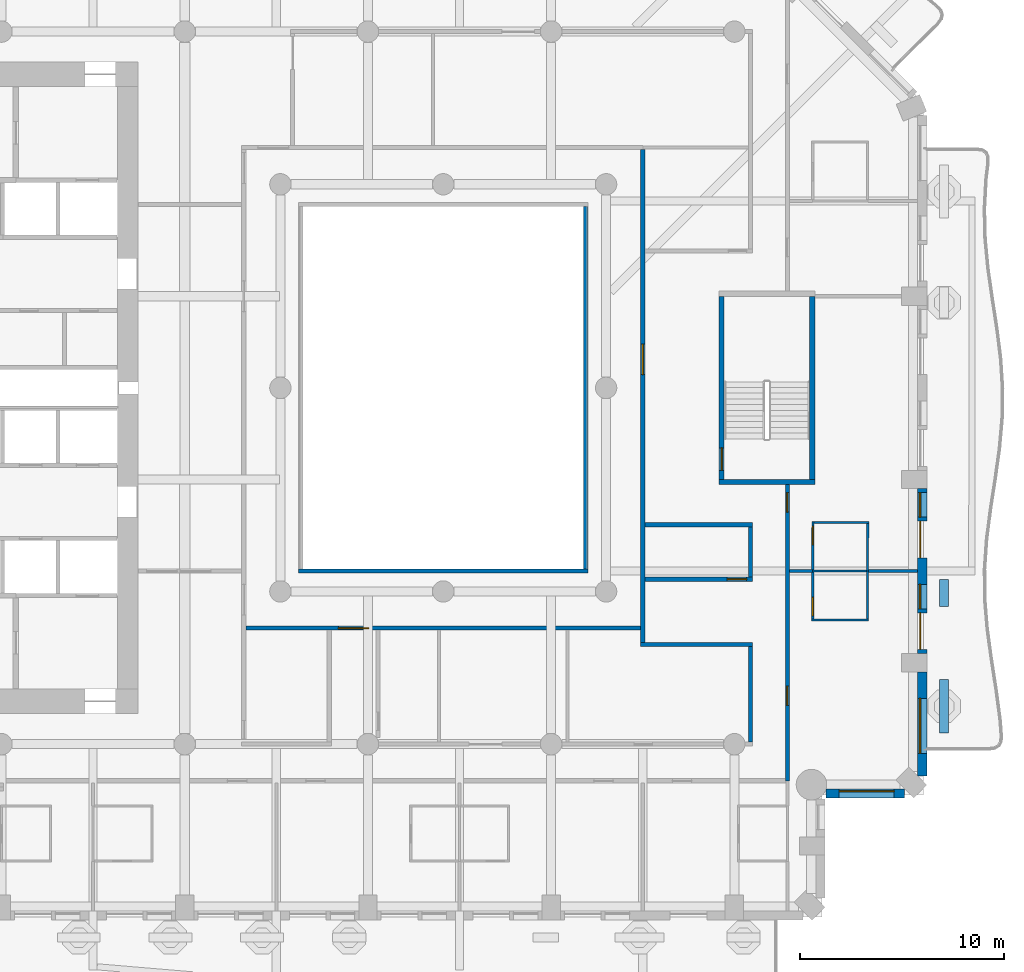
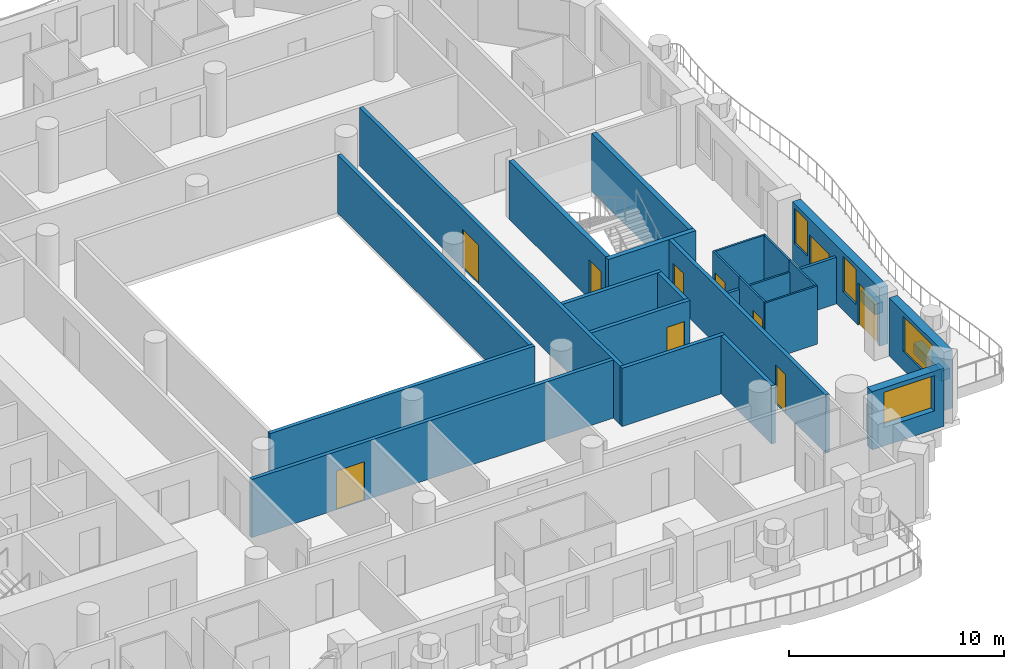
# One storey, part 6 of 20: 27 walls, 10 doors, 4 windows, 14 openings.
"""IFC4 building model written with IfcOpenShell, lengths in metres."""

from ifc_helpers import new_model, si_unit, direction, frame, frame_2d, origin, place, context, subcontext, project, spatial, rectangle, extrude, material, layer, layer_set, type_object, element, fill, save


model = new_model("IFC4")

# Units and contexts
model_context = context("Model", 3, precision=1e-05, world=origin(), true_north=direction((0.0, 1.0)))
body_context = subcontext(model_context, "Body", "Model", "MODEL_VIEW")
ifc_project = project(units=[si_unit("LENGTHUNIT", "METRE"), si_unit("AREAUNIT", "SQUARE_METRE"), si_unit("VOLUMEUNIT", "CUBIC_METRE"), si_unit("PLANEANGLEUNIT", "RADIAN"), si_unit("MASSUNIT", "GRAM", prefix="KILO")], contexts=[model_context])

# Site, building, storey
site_placement = place(None, origin())
site = spatial("IfcSite", under=ifc_project, at=site_placement, CompositionType="ELEMENT")
building_placement = place(site_placement, origin())
building = spatial("IfcBuilding", under=site, at=building_placement, Name="Cypress Arch Tower", CompositionType="ELEMENT")
storey_placement = place(building_placement, frame((0.0, 0.0, 120.300048828125)))
storey = spatial("IfcBuildingStorey", under=building, at=storey_placement, Name="L25", CompositionType="ELEMENT", Elevation=120.300048828125)

# Walls
ifc_material_1 = material(Name="Concrete C40/50, waterproofed", Category="concrete")
ifc_layer_1 = layer(ifc_material_1, 0.449951171875)
ifc_layer_set_1 = layer_set([ifc_layer_1], Name="Balcony planter wall PW450")
wall_type_1 = type_object("IfcWallType", Name="Balcony planter wall PW450", PredefinedType="SOLIDWALL", material=ifc_layer_set_1)
wall_1_placement = place(storey_placement, frame((25.60009765625, -16.949951171875, 0.0), z_axis=(0.0, 0.0, 1.0), x_axis=(0.0, 1.0, 0.0)))
element("IfcWall", 1, at=wall_1_placement, inside=storey, type_object=wall_type_1, Name="Balcony planter wall L25-A06.1", PredefinedType="SOLIDWALL", context=body_context, shape_type="SweptSolid", body=[
    extrude(rectangle(XDim=2.6142578125, YDim=0.449951171875, at=frame_2d((1.30712890625, 0.0))), origin(), (0.0, 0.0, 1.0), 0.599853515625),
])
wall_2_placement = place(storey_placement, frame((25.60009765625, -10.75, 0.0), z_axis=(0.0, 0.0, 1.0), x_axis=(0.0, 1.0, 0.0)))
element("IfcWall", 2, at=wall_2_placement, inside=storey, type_object=wall_type_1, Name="Balcony planter wall L25-A06.2", PredefinedType="SOLIDWALL", context=body_context, shape_type="SweptSolid", body=[
    extrude(rectangle(XDim=1.32861328125, YDim=0.449951171875, at=frame_2d((0.664306640625, 0.0))), origin(), (0.0, 0.0, 1.0), 0.599853515625),
])

# Wall, opening, window
ifc_material_2 = material(Name="Brick (red buff blend)", Category="masonry")
ifc_layer_2 = layer(ifc_material_2, 0.449951171875)
ifc_layer_set_2 = layer_set([ifc_layer_2], Name="Brick pier and spandrel wall BW450")
wall_type_2 = type_object("IfcWallType", Name="Brick pier and spandrel wall BW450", PredefinedType="SOLIDWALL", material=ifc_layer_set_2)
wall_3_placement = place(storey_placement, frame((19.806884765625, -19.925048828125, 0.0), z_axis=(0.0, 0.0, 1.0), x_axis=(1.0, 0.0, 0.0)))
wall_3 = element("IfcWall", 3, at=wall_3_placement, inside=storey, type_object=wall_type_2, Name="Brick wall L25 A05.0", PredefinedType="SOLIDWALL", context=body_context, shape_type="SweptSolid", body=[
    extrude(rectangle(XDim=3.856689453125, YDim=0.449951171875, at=frame_2d((1.92822265625, 0.0))), origin(), (0.0, 0.0, 1.0), 3.300048828125),
])
opening_1_placement = place(wall_3_placement, frame((0.64306640625, 0.0, 1.050048828125)))
opening_1 = element("IfcOpeningElement", 4, at=opening_1_placement, cuts=wall_3, Name="Opening W270H", PredefinedType="OPENING", context=body_context, shape_type="SweptSolid", body=[
    extrude(rectangle(XDim=2.699951171875, YDim=2.0, at=frame_2d((1.35009765625, 1.0))), frame((0.0, 0.23486328125, 0.0), z_axis=(0.0, -1.0, 0.0), x_axis=(1.0, 0.0, 0.0)), (0.0, 0.0, 1.0), 0.469970703125),
])
ifc_material_3 = material(Name="Anodised aluminium, bronze finish, clear low-emissivity double glazing", Category="aluminium")
window_type_1 = type_object("IfcWindowType", Name="Window Hotel 2700x2000", PartitioningType="SINGLE_PANEL", PredefinedType="WINDOW", material=ifc_material_3)
window_1_placement = place(opening_1_placement, origin())
window_1 = element("IfcWindow", 5, at=window_1_placement, inside=storey, type_object=window_type_1, Name="Window L25 A05.0.1", OverallHeight=2.0, OverallWidth=2.699951171875, PartitioningType="SINGLE_PANEL", PredefinedType="WINDOW", context=body_context, shape_type="SweptSolid", body=[
    extrude(rectangle(XDim=2.699951171875, YDim=2.0, at=frame_2d((1.35009765625, 1.0))), frame((0.0, 0.135009765625, 0.0), z_axis=(0.0, -1.0, 0.0), x_axis=(1.0, 0.0, 0.0)), (0.0, 0.0, 1.0), 0.06005859375),
])
fill(opening_1, window_1)

wall_4_placement = place(storey_placement, frame((24.52490234375, -19.063720703125, 0.0), z_axis=(0.0, 0.0, 1.0), x_axis=(0.0, 1.0, 0.0)))
wall_4 = element("IfcWall", 6, at=wall_4_placement, inside=storey, type_object=wall_type_2, Name="Brick wall L25 A06.0", PredefinedType="SOLIDWALL", context=body_context, shape_type="SweptSolid", body=[
    extrude(rectangle(XDim=5.11376953125, YDim=0.449951171875, at=frame_2d((2.556884765625, 0.0))), origin(), (0.0, 0.0, 1.0), 3.300048828125),
])
opening_2_placement = place(wall_4_placement, frame((1.113525390625, 0.0, 1.050048828125)))
opening_2 = element("IfcOpeningElement", 7, at=opening_2_placement, cuts=wall_4, Name="Opening W270HD", PredefinedType="OPENING", context=body_context, shape_type="SweptSolid", body=[
    extrude(rectangle(XDim=2.699951171875, YDim=2.0, at=frame_2d((1.35009765625, 1.0))), frame((0.0, 0.23486328125, 0.0), z_axis=(0.0, -1.0, 0.0), x_axis=(1.0, 0.0, 0.0)), (0.0, 0.0, 1.0), 0.469970703125),
])
ifc_material_4 = material(Name="Anodised aluminium, bronze finish, laminated low-emissivity double glazing, large-missile impact rated", Category="aluminium")
window_type_2 = type_object("IfcWindowType", Name="Window Hotel 2700x2000 debris-rated", PartitioningType="SINGLE_PANEL", PredefinedType="WINDOW", material=ifc_material_4)
window_2_placement = place(opening_2_placement, origin())
window_2 = element("IfcWindow", 8, at=window_2_placement, inside=storey, type_object=window_type_2, Name="Window L25 A06.0.1", OverallHeight=2.0, OverallWidth=2.699951171875, PartitioningType="SINGLE_PANEL", PredefinedType="WINDOW", context=body_context, shape_type="SweptSolid", body=[
    extrude(rectangle(XDim=2.699951171875, YDim=2.0, at=frame_2d((1.35009765625, 1.0))), frame((0.0, 0.135009765625, 0.0), z_axis=(0.0, -1.0, 0.0), x_axis=(1.0, 0.0, 0.0)), (0.0, 0.0, 1.0), 0.06005859375),
])
fill(opening_2, window_2)

# Wall, openings, doors, windows
wall_5_placement = place(storey_placement, frame((24.52490234375, -13.050048828125, 0.0), z_axis=(0.0, 0.0, 1.0), x_axis=(0.0, 1.0, 0.0)))
wall_5 = element("IfcWall", 9, at=wall_5_placement, inside=storey, type_object=wall_type_2, Name="Brick wall L25 A06.1", PredefinedType="SOLIDWALL", context=body_context, shape_type="SweptSolid", body=[
    extrude(rectangle(XDim=8.10009765625, YDim=0.449951171875, at=frame_2d((4.050048828125, 0.0))), origin(), (0.0, 0.0, 1.0), 3.300048828125),
])
opening_3_placement = place(wall_5_placement, frame((0.199951171875, 0.0, 0.0)))
opening_3 = element("IfcOpeningElement", 10, at=opening_3_placement, cuts=wall_5, Name="Opening D-L25-A06.1.1", PredefinedType="OPENING", context=body_context, shape_type="SweptSolid", body=[
    extrude(rectangle(XDim=1.800048828125, YDim=2.39990234375, at=frame_2d((0.89990234375, 1.199951171875))), frame((0.0, 0.23486328125, 0.0), z_axis=(0.0, -1.0, 0.0), x_axis=(1.0, 0.0, 0.0)), (0.0, 0.0, 1.0), 0.469970703125),
])
opening_4_placement = place(wall_5_placement, frame((2.199951171875, 0.0, 1.050048828125)))
opening_4 = element("IfcOpeningElement", 11, at=opening_4_placement, cuts=wall_5, Name="Opening W120HD", PredefinedType="OPENING", context=body_context, shape_type="SweptSolid", body=[
    extrude(rectangle(XDim=1.199951171875, YDim=2.0, at=frame_2d((0.60009765625, 1.0))), frame((0.0, 0.23486328125, 0.0), z_axis=(0.0, -1.0, 0.0), x_axis=(1.0, 0.0, 0.0)), (0.0, 0.0, 1.0), 0.469970703125),
])
opening_5_placement = place(wall_5_placement, frame((4.699951171875, 0.0, 0.0)))
opening_5 = element("IfcOpeningElement", 12, at=opening_5_placement, cuts=wall_5, Name="Opening D-L25-A06.1.2", PredefinedType="OPENING", context=body_context, shape_type="SweptSolid", body=[
    extrude(rectangle(XDim=1.800048828125, YDim=2.39990234375, at=frame_2d((0.89990234375, 1.199951171875))), frame((0.0, 0.23486328125, 0.0), z_axis=(0.0, -1.0, 0.0), x_axis=(1.0, 0.0, 0.0)), (0.0, 0.0, 1.0), 0.469970703125),
])
opening_6_placement = place(wall_5_placement, frame((6.699951171875, 0.0, 1.050048828125)))
opening_6 = element("IfcOpeningElement", 13, at=opening_6_placement, cuts=wall_5, Name="Opening W120HD", PredefinedType="OPENING", context=body_context, shape_type="SweptSolid", body=[
    extrude(rectangle(XDim=1.199951171875, YDim=2.0, at=frame_2d((0.60009765625, 1.0))), frame((0.0, 0.23486328125, 0.0), z_axis=(0.0, -1.0, 0.0), x_axis=(1.0, 0.0, 0.0)), (0.0, 0.0, 1.0), 0.469970703125),
])
ifc_material_5 = material(Name="Anodised aluminium, bronze finish, laminated low-emissivity double glazing, large-missile impact rated", Category="aluminium")
door_type_1 = type_object("IfcDoorType", Name="Balcony sliding door 1800x2400", OperationType="SLIDING_TO_LEFT", PredefinedType="DOOR", material=ifc_material_5)
door_1_placement = place(opening_3_placement, origin())
door_1 = element("IfcDoor", 14, at=door_1_placement, inside=storey, type_object=door_type_1, Name="Balcony door L25 A06.1.1", OperationType="SLIDING_TO_LEFT", OverallHeight=2.39990234375, OverallWidth=1.800048828125, PredefinedType="DOOR", context=body_context, shape_type="SweptSolid", body=[
    extrude(rectangle(XDim=1.800048828125, YDim=2.39990234375, at=frame_2d((0.89990234375, 1.199951171875))), frame((0.0, 0.1298828125, 0.0), z_axis=(0.0, -1.0, 0.0), x_axis=(1.0, 0.0, 0.0)), (0.0, 0.0, 1.0), 0.050048828125),
])
fill(opening_3, door_1)
door_2_placement = place(opening_5_placement, origin())
door_2 = element("IfcDoor", 15, at=door_2_placement, inside=storey, type_object=door_type_1, Name="Balcony door L25 A06.1.2", OperationType="SLIDING_TO_LEFT", OverallHeight=2.39990234375, OverallWidth=1.800048828125, PredefinedType="DOOR", context=body_context, shape_type="SweptSolid", body=[
    extrude(rectangle(XDim=1.800048828125, YDim=2.39990234375, at=frame_2d((0.89990234375, 1.199951171875))), frame((0.0, 0.1298828125, 0.0), z_axis=(0.0, -1.0, 0.0), x_axis=(1.0, 0.0, 0.0)), (0.0, 0.0, 1.0), 0.050048828125),
])
fill(opening_5, door_2)
ifc_material_6 = material(Name="Anodised aluminium, bronze finish, laminated low-emissivity double glazing, large-missile impact rated", Category="aluminium")
window_type_3 = type_object("IfcWindowType", Name="Window Hotel 1200x2000 debris-rated", PartitioningType="SINGLE_PANEL", PredefinedType="WINDOW", material=ifc_material_6)
window_3_placement = place(opening_4_placement, origin())
window_3 = element("IfcWindow", 16, at=window_3_placement, inside=storey, type_object=window_type_3, Name="Window L25 A06.1.1", OverallHeight=2.0, OverallWidth=1.199951171875, PartitioningType="SINGLE_PANEL", PredefinedType="WINDOW", context=body_context, shape_type="SweptSolid", body=[
    extrude(rectangle(XDim=1.199951171875, YDim=2.0, at=frame_2d((0.60009765625, 1.0))), frame((0.0, 0.135009765625, 0.0), z_axis=(0.0, -1.0, 0.0), x_axis=(1.0, 0.0, 0.0)), (0.0, 0.0, 1.0), 0.06005859375),
])
fill(opening_4, window_3)
window_4_placement = place(opening_6_placement, origin())
window_4 = element("IfcWindow", 17, at=window_4_placement, inside=storey, type_object=window_type_3, Name="Window L25 A06.1.2", OverallHeight=2.0, OverallWidth=1.199951171875, PartitioningType="SINGLE_PANEL", PredefinedType="WINDOW", context=body_context, shape_type="SweptSolid", body=[
    extrude(rectangle(XDim=1.199951171875, YDim=2.0, at=frame_2d((0.60009765625, 1.0))), frame((0.0, 0.135009765625, 0.0), z_axis=(0.0, -1.0, 0.0), x_axis=(1.0, 0.0, 0.0)), (0.0, 0.0, 1.0), 0.06005859375),
])
fill(opening_6, window_4)

# Wall, opening, door
ifc_material_7 = material(Name="Concrete blockwork, plastered, rated", Category="masonry")
ifc_layer_3 = layer(ifc_material_7, 0.199951171875)
ifc_layer_set_3 = layer_set([ifc_layer_3], Name="Corridor wall FW200")
wall_type_3 = type_object("IfcWallType", Name="Corridor wall FW200", PredefinedType="PARTITIONING", material=ifc_layer_set_3)
wall_6_placement = place(storey_placement, frame((-8.699951171875, -11.800048828125, 0.0), z_axis=(0.0, 0.0, 1.0), x_axis=(1.0, 0.0, 0.0)))
wall_6 = element("IfcWall", 18, at=wall_6_placement, inside=storey, type_object=wall_type_3, Name="Corridor wall", PredefinedType="PARTITIONING", context=body_context, shape_type="SweptSolid", body=[
    extrude(rectangle(XDim=19.39990234375, YDim=0.199951171875, at=frame_2d((9.699951171875, 0.0))), origin(), (0.0, 0.0, 1.0), 3.300048828125),
])
opening_7_placement = place(wall_6_placement, frame((4.550048828125, 0.0, 0.0)))
opening_7 = element("IfcOpeningElement", 19, at=opening_7_placement, cuts=wall_6, Name="Opening D04", PredefinedType="OPENING", context=body_context, shape_type="SweptSolid", body=[
    extrude(rectangle(XDim=1.5, YDim=2.199951171875, at=frame_2d((0.75, 1.10009765625))), frame((0.0, 0.10986328125, 0.0), z_axis=(0.0, -1.0, 0.0), x_axis=(1.0, 0.0, 0.0)), (0.0, 0.0, 1.0), 0.219970703125),
])
ifc_material_8 = material(Name="Timber double door", Category="wood")
door_type_2 = type_object("IfcDoorType", Name="Double door D04 1500x2200", OperationType="DOUBLE_DOOR_SINGLE_SWING", PredefinedType="DOOR", material=ifc_material_8)
door_3_placement = place(opening_7_placement, origin())
door_3 = element("IfcDoor", 20, at=door_3_placement, inside=storey, type_object=door_type_2, Name="Double door", OperationType="DOUBLE_DOOR_SINGLE_SWING", OverallHeight=2.199951171875, OverallWidth=1.5, PredefinedType="DOOR", context=body_context, shape_type="SweptSolid", body=[
    extrude(rectangle(XDim=1.5, YDim=2.199951171875, at=frame_2d((0.75, 1.10009765625))), frame((0.0, 0.02490234375, 0.0), z_axis=(0.0, -1.0, 0.0), x_axis=(1.0, 0.0, 0.0)), (0.0, 0.0, 1.0), 0.050048828125),
])
fill(opening_7, door_3)

# Walls
wall_7_placement = place(storey_placement, frame((-6.10009765625, -9.0, 0.0), z_axis=(0.0, 0.0, 1.0), x_axis=(1.0, 0.0, 0.0)))
element("IfcWall", 21, at=wall_7_placement, inside=storey, type_object=wall_type_3, Name="Corridor wall", PredefinedType="PARTITIONING", context=body_context, shape_type="SweptSolid", body=[
    extrude(rectangle(XDim=14.2001953125, YDim=0.199951171875, at=frame_2d((7.10009765625, 0.0))), origin(), (0.0, 0.0, 1.0), 3.300048828125),
])
wall_8_placement = place(storey_placement, frame((8.0, -8.89990234375, 0.0), z_axis=(0.0, 0.0, 1.0), x_axis=(0.0, 1.0, 0.0)))
element("IfcWall", 22, at=wall_8_placement, inside=storey, type_object=wall_type_3, Name="Corridor wall", PredefinedType="PARTITIONING", context=body_context, shape_type="SweptSolid", body=[
    extrude(rectangle(XDim=17.7998046875, YDim=0.199951171875, at=frame_2d((8.89990234375, 0.0))), origin(), (0.0, 0.0, 1.0), 3.300048828125),
])

# Wall, opening, door
wall_9_placement = place(storey_placement, frame((10.799072265625, -12.5, 0.0), z_axis=(0.0, 0.0, 1.0), x_axis=(0.0, 1.0, 0.0)))
wall_9 = element("IfcWall", 23, at=wall_9_placement, inside=storey, type_object=wall_type_3, Name="Corridor wall", PredefinedType="PARTITIONING", context=body_context, shape_type="SweptSolid", body=[
    extrude(rectangle(XDim=24.199951171875, YDim=0.199951171875, at=frame_2d((12.10009765625, 0.0))), origin(), (0.0, 0.0, 1.0), 3.300048828125),
])
opening_8_placement = place(wall_9_placement, frame((13.14990234375, 0.0, 0.0)))
opening_8 = element("IfcOpeningElement", 24, at=opening_8_placement, cuts=wall_9, Name="Opening D04", PredefinedType="OPENING", context=body_context, shape_type="SweptSolid", body=[
    extrude(rectangle(XDim=1.5, YDim=2.199951171875, at=frame_2d((0.75, 1.10009765625))), frame((0.0, 0.10986328125, 0.0), z_axis=(0.0, -1.0, 0.0), x_axis=(1.0, 0.0, 0.0)), (0.0, 0.0, 1.0), 0.219970703125),
])
door_4_placement = place(opening_8_placement, origin())
door_4 = element("IfcDoor", 25, at=door_4_placement, inside=storey, type_object=door_type_2, Name="Double door", OperationType="DOUBLE_DOOR_SINGLE_SWING", OverallHeight=2.199951171875, OverallWidth=1.5, PredefinedType="DOOR", context=body_context, shape_type="SweptSolid", body=[
    extrude(rectangle(XDim=1.5, YDim=2.199951171875, at=frame_2d((0.75, 1.10009765625))), frame((0.0, 0.02490234375, 0.0), z_axis=(0.0, -1.0, 0.0), x_axis=(1.0, 0.0, 0.0)), (0.0, 0.0, 1.0), 0.050048828125),
])
fill(opening_8, door_4)

# Wall
wall_10_placement = place(storey_placement, frame((10.698974609375, -12.60009765625, 0.0), z_axis=(0.0, 0.0, 1.0), x_axis=(1.0, 0.0, 0.0)))
element("IfcWall", 26, at=wall_10_placement, inside=storey, type_object=wall_type_3, Name="Corridor wall", PredefinedType="PARTITIONING", context=body_context, shape_type="SweptSolid", body=[
    extrude(rectangle(XDim=5.5009765625, YDim=0.199951171875, at=frame_2d((2.75048828125, 0.0))), origin(), (0.0, 0.0, 1.0), 3.300048828125),
])

# Wall, opening, door
wall_11_placement = place(storey_placement, frame((10.89990234375, -9.39990234375, 0.0), z_axis=(0.0, 0.0, 1.0), x_axis=(1.0, 0.0, 0.0)))
wall_11 = element("IfcWall", 27, at=wall_11_placement, inside=storey, type_object=wall_type_3, Name="Corridor wall", PredefinedType="PARTITIONING", context=body_context, shape_type="SweptSolid", body=[
    extrude(rectangle(XDim=5.300048828125, YDim=0.199951171875, at=frame_2d((2.64990234375, 0.0))), origin(), (0.0, 0.0, 1.0), 3.300048828125),
])
opening_9_placement = place(wall_11_placement, frame((4.050048828125, 0.0, 0.0)))
opening_9 = element("IfcOpeningElement", 28, at=opening_9_placement, cuts=wall_11, Name="Opening D02", PredefinedType="OPENING", context=body_context, shape_type="SweptSolid", body=[
    extrude(rectangle(XDim=0.949951171875, YDim=2.199951171875, at=frame_2d((0.47509765625, 1.10009765625))), frame((0.0, 0.10986328125, 0.0), z_axis=(0.0, -1.0, 0.0), x_axis=(1.0, 0.0, 0.0)), (0.0, 0.0, 1.0), 0.219970703125),
])
ifc_material_9 = material(Name="Timber flush door, fire resisting", Category="wood")
door_type_3 = type_object("IfcDoorType", Name="Room door D02 950x2200", OperationType="SINGLE_SWING_LEFT", PredefinedType="DOOR", material=ifc_material_9)
door_5_placement = place(opening_9_placement, origin())
door_5 = element("IfcDoor", 29, at=door_5_placement, inside=storey, type_object=door_type_3, Name="Room door", OperationType="SINGLE_SWING_RIGHT", OverallHeight=2.199951171875, OverallWidth=0.949951171875, PredefinedType="DOOR", context=body_context, shape_type="SweptSolid", body=[
    extrude(rectangle(XDim=0.949951171875, YDim=2.199951171875, at=frame_2d((0.47509765625, 1.10009765625))), frame((0.0, 0.02490234375, 0.0), z_axis=(0.0, -1.0, 0.0), x_axis=(1.0, 0.0, 0.0)), (0.0, 0.0, 1.0), 0.050048828125),
])
fill(opening_9, door_5)

# Walls
wall_12_placement = place(storey_placement, frame((10.89990234375, -6.72509765625, 0.0), z_axis=(0.0, 0.0, 1.0), x_axis=(1.0, 0.0, 0.0)))
element("IfcWall", 30, at=wall_12_placement, inside=storey, type_object=wall_type_3, Name="Corridor wall", PredefinedType="PARTITIONING", context=body_context, shape_type="SweptSolid", body=[
    extrude(rectangle(XDim=5.300048828125, YDim=0.199951171875, at=frame_2d((2.64990234375, 0.0))), origin(), (0.0, 0.0, 1.0), 3.300048828125),
])
wall_13_placement = place(storey_placement, frame((16.10009765625, -17.39990234375, 0.0), z_axis=(0.0, 0.0, 1.0), x_axis=(0.0, 1.0, 0.0)))
element("IfcWall", 31, at=wall_13_placement, inside=storey, type_object=wall_type_3, Name="Corridor wall", PredefinedType="PARTITIONING", context=body_context, shape_type="SweptSolid", body=[
    extrude(rectangle(XDim=4.699951171875, YDim=0.199951171875, at=frame_2d((2.35009765625, 0.0))), origin(), (0.0, 0.0, 1.0), 3.300048828125),
])
wall_14_placement = place(storey_placement, frame((16.10009765625, -9.300048828125, 0.0), z_axis=(0.0, 0.0, 1.0), x_axis=(0.0, 1.0, 0.0)))
element("IfcWall", 32, at=wall_14_placement, inside=storey, type_object=wall_type_3, Name="Corridor wall", PredefinedType="PARTITIONING", context=body_context, shape_type="SweptSolid", body=[
    extrude(rectangle(XDim=2.47509765625, YDim=0.199951171875, at=frame_2d((1.237548828125, 0.0))), origin(), (0.0, 0.0, 1.0), 3.300048828125),
])

# Wall, openings, doors
wall_15_placement = place(storey_placement, frame((17.89990234375, -19.300048828125, 0.0), z_axis=(0.0, 0.0, 1.0), x_axis=(0.0, 1.0, 0.0)))
wall_15 = element("IfcWall", 33, at=wall_15_placement, inside=storey, type_object=wall_type_3, Name="Corridor wall", PredefinedType="PARTITIONING", context=body_context, shape_type="SweptSolid", body=[
    extrude(rectangle(XDim=14.550048828125, YDim=0.199951171875, at=frame_2d((7.27490234375, 0.0))), origin(), (0.0, 0.0, 1.0), 3.300048828125),
])
opening_10_placement = place(wall_15_placement, frame((3.699951171875, 0.0, 0.0)))
opening_10 = element("IfcOpeningElement", 34, at=opening_10_placement, cuts=wall_15, Name="Opening D02", PredefinedType="OPENING", context=body_context, shape_type="SweptSolid", body=[
    extrude(rectangle(XDim=0.949951171875, YDim=2.199951171875, at=frame_2d((0.47509765625, 1.10009765625))), frame((0.0, 0.10986328125, 0.0), z_axis=(0.0, -1.0, 0.0), x_axis=(1.0, 0.0, 0.0)), (0.0, 0.0, 1.0), 0.219970703125),
])
opening_11_placement = place(wall_15_placement, frame((13.199951171875, 0.0, 0.0)))
opening_11 = element("IfcOpeningElement", 35, at=opening_11_placement, cuts=wall_15, Name="Opening D02", PredefinedType="OPENING", context=body_context, shape_type="SweptSolid", body=[
    extrude(rectangle(XDim=0.949951171875, YDim=2.199951171875, at=frame_2d((0.47509765625, 1.10009765625))), frame((0.0, 0.10986328125, 0.0), z_axis=(0.0, -1.0, 0.0), x_axis=(1.0, 0.0, 0.0)), (0.0, 0.0, 1.0), 0.219970703125),
])
door_6_placement = place(opening_10_placement, origin())
door_6 = element("IfcDoor", 36, at=door_6_placement, inside=storey, type_object=door_type_3, Name="Room door", OperationType="SINGLE_SWING_RIGHT", OverallHeight=2.199951171875, OverallWidth=0.949951171875, PredefinedType="DOOR", context=body_context, shape_type="SweptSolid", body=[
    extrude(rectangle(XDim=0.949951171875, YDim=2.199951171875, at=frame_2d((0.47509765625, 1.10009765625))), frame((0.0, 0.02490234375, 0.0), z_axis=(0.0, -1.0, 0.0), x_axis=(1.0, 0.0, 0.0)), (0.0, 0.0, 1.0), 0.050048828125),
])
fill(opening_10, door_6)
door_7_placement = place(opening_11_placement, origin())
door_7 = element("IfcDoor", 37, at=door_7_placement, inside=storey, type_object=door_type_3, Name="Room door", OperationType="SINGLE_SWING_LEFT", OverallHeight=2.199951171875, OverallWidth=0.949951171875, PredefinedType="DOOR", context=body_context, shape_type="SweptSolid", body=[
    extrude(rectangle(XDim=0.949951171875, YDim=2.199951171875, at=frame_2d((0.47509765625, 1.10009765625))), frame((0.0, 0.02490234375, 0.0), z_axis=(0.0, -1.0, 0.0), x_axis=(1.0, 0.0, 0.0)), (0.0, 0.0, 1.0), 0.050048828125),
])
fill(opening_11, door_7)

# Walls
ifc_material_10 = material(Name="Blockwork, plastered both sides", Category="masonry")
ifc_layer_4 = layer(ifc_material_10, 0.14990234375)
ifc_layer_set_4 = layer_set([ifc_layer_4], Name="Partition PW150")
wall_type_4 = type_object("IfcWallType", Name="Partition PW150", PredefinedType="PARTITIONING", material=ifc_layer_set_4)
wall_16_placement = place(storey_placement, frame((18.0, -9.0, 0.0), z_axis=(0.0, 0.0, 1.0), x_axis=(1.0, 0.0, 0.0)))
element("IfcWall", 38, at=wall_16_placement, inside=storey, type_object=wall_type_4, Name="Partition", PredefinedType="PARTITIONING", context=body_context, shape_type="SweptSolid", body=[
    extrude(rectangle(XDim=1.1298828125, YDim=0.14990234375, at=frame_2d((0.56494140625, 0.0))), origin(), (0.0, 0.0, 1.0), 2.64990234375),
])
wall_17_placement = place(storey_placement, frame((21.8701171875, -9.0, 0.0), z_axis=(0.0, 0.0, 1.0), x_axis=(1.0, 0.0, 0.0)))
element("IfcWall", 39, at=wall_17_placement, inside=storey, type_object=wall_type_4, Name="Partition", PredefinedType="PARTITIONING", context=body_context, shape_type="SweptSolid", body=[
    extrude(rectangle(XDim=2.429931640625, YDim=0.14990234375, at=frame_2d((1.21484375, 0.0))), origin(), (0.0, 0.0, 1.0), 2.64990234375),
])

# Wall, opening, door
ifc_material_11 = material(Name="Concrete C50/60", Category="concrete")
ifc_layer_5 = layer(ifc_material_11, 0.25)
ifc_layer_set_5 = layer_set([ifc_layer_5], Name="Stair enclosure wall SW250")
wall_type_5 = type_object("IfcWallType", Name="Stair enclosure wall SW250", PredefinedType="SHEAR", material=ifc_layer_set_5)
wall_18_placement = place(storey_placement, frame((14.675048828125, -4.5, 0.0), z_axis=(0.0, 0.0, 1.0), x_axis=(0.0, 1.0, 0.0)))
wall_18 = element("IfcWall", 40, at=wall_18_placement, inside=storey, type_object=wall_type_5, Name="Stair enclosure wall", PredefinedType="SHEAR", context=body_context, shape_type="SweptSolid", body=[
    extrude(rectangle(XDim=9.0, YDim=0.25, at=frame_2d((4.5, 0.0))), origin(), (0.0, 0.0, 1.0), 3.300048828125),
])
opening_12_placement = place(wall_18_placement, frame((0.449951171875, 0.0, 0.0)))
opening_12 = element("IfcOpeningElement", 41, at=opening_12_placement, cuts=wall_18, Name="Opening D06", PredefinedType="OPENING", context=body_context, shape_type="SweptSolid", body=[
    extrude(rectangle(XDim=1.10009765625, YDim=2.199951171875, at=frame_2d((0.550048828125, 1.10009765625))), frame((0.0, 0.135009765625, 0.0), z_axis=(0.0, -1.0, 0.0), x_axis=(1.0, 0.0, 0.0)), (0.0, 0.0, 1.0), 0.27001953125),
])
ifc_material_12 = material(Name="Steel door, fire resisting, panic bar", Category="steel")
door_type_4 = type_object("IfcDoorType", Name="Stair door D06 1100x2200", OperationType="SINGLE_SWING_LEFT", PredefinedType="DOOR", material=ifc_material_12)
door_8_placement = place(opening_12_placement, origin())
door_8 = element("IfcDoor", 42, at=door_8_placement, inside=storey, type_object=door_type_4, Name="Stair door", OperationType="SINGLE_SWING_RIGHT", OverallHeight=2.199951171875, OverallWidth=1.10009765625, PredefinedType="DOOR", context=body_context, shape_type="SweptSolid", body=[
    extrude(rectangle(XDim=1.10009765625, YDim=2.199951171875, at=frame_2d((0.550048828125, 1.10009765625))), frame((0.0, 0.02490234375, 0.0), z_axis=(0.0, -1.0, 0.0), x_axis=(1.0, 0.0, 0.0)), (0.0, 0.0, 1.0), 0.050048828125),
])
fill(opening_12, door_8)

# Walls
wall_19_placement = place(storey_placement, frame((14.550048828125, -4.625, 0.0), z_axis=(0.0, 0.0, 1.0), x_axis=(1.0, 0.0, 0.0)))
element("IfcWall", 43, at=wall_19_placement, inside=storey, type_object=wall_type_5, Name="Stair enclosure wall", PredefinedType="SHEAR", context=body_context, shape_type="SweptSolid", body=[
    extrude(rectangle(XDim=4.699951171875, YDim=0.25, at=frame_2d((2.35009765625, 0.0))), origin(), (0.0, 0.0, 1.0), 3.300048828125),
])
wall_20_placement = place(storey_placement, frame((19.125, -4.5, 0.0), z_axis=(0.0, 0.0, 1.0), x_axis=(0.0, 1.0, 0.0)))
element("IfcWall", 44, at=wall_20_placement, inside=storey, type_object=wall_type_5, Name="Stair enclosure wall", PredefinedType="SHEAR", context=body_context, shape_type="SweptSolid", body=[
    extrude(rectangle(XDim=9.0, YDim=0.25, at=frame_2d((4.5, 0.0))), origin(), (0.0, 0.0, 1.0), 3.300048828125),
])
ifc_material_13 = material(Name="Moisture resistant board on steel studs, tiled", Category="steel")
ifc_layer_6 = layer(ifc_material_13, 0.10009765625)
ifc_layer_set_6 = layer_set([ifc_layer_6], Name="Wet wall PW100")
wall_type_6 = type_object("IfcWallType", Name="Wet wall PW100", PredefinedType="PARTITIONING", material=ifc_layer_set_6)
wall_21_placement = place(storey_placement, frame((19.1298828125, -9.0, 0.0), z_axis=(0.0, 0.0, 1.0), x_axis=(1.0, 0.0, 0.0)))
element("IfcWall", 45, at=wall_21_placement, inside=storey, type_object=wall_type_6, Name="Wet wall", PredefinedType="PARTITIONING", context=body_context, shape_type="SweptSolid", body=[
    extrude(rectangle(XDim=2.740234375, YDim=0.10009765625, at=frame_2d((1.3701171875, 0.0))), origin(), (0.0, 0.0, 1.0), 2.64990234375),
])

# Wall, opening, door
wall_22_placement = place(storey_placement, frame((19.14990234375, -11.345947265625, 0.0), z_axis=(0.0, 0.0, 1.0), x_axis=(0.0, 1.0, 0.0)))
wall_22 = element("IfcWall", 46, at=wall_22_placement, inside=storey, type_object=wall_type_6, Name="Wet wall", PredefinedType="PARTITIONING", context=body_context, shape_type="SweptSolid", body=[
    extrude(rectangle(XDim=2.345947265625, YDim=0.10009765625, at=frame_2d((1.1728515625, 0.0))), origin(), (0.0, 0.0, 1.0), 3.300048828125),
])
opening_13_placement = place(wall_22_placement, frame((0.14990234375, 0.0, 0.0)))
opening_13 = element("IfcOpeningElement", 47, at=opening_13_placement, cuts=wall_22, Name="Opening D03", PredefinedType="OPENING", context=body_context, shape_type="SweptSolid", body=[
    extrude(rectangle(XDim=0.89990234375, YDim=2.199951171875, at=frame_2d((0.449951171875, 1.10009765625))), frame((0.0, 0.06005859375, 0.0), z_axis=(0.0, -1.0, 0.0), x_axis=(1.0, 0.0, 0.0)), (0.0, 0.0, 1.0), 0.1201171875),
])
ifc_material_14 = material(Name="Timber flush door, moisture resistant", Category="wood")
door_type_5 = type_object("IfcDoorType", Name="Bathroom door D03 900x2200", OperationType="SINGLE_SWING_LEFT", PredefinedType="DOOR", material=ifc_material_14)
door_9_placement = place(opening_13_placement, origin())
door_9 = element("IfcDoor", 48, at=door_9_placement, inside=storey, type_object=door_type_5, Name="Bathroom door", OperationType="SINGLE_SWING_RIGHT", OverallHeight=2.199951171875, OverallWidth=0.89990234375, PredefinedType="DOOR", context=body_context, shape_type="SweptSolid", body=[
    extrude(rectangle(XDim=0.89990234375, YDim=2.199951171875, at=frame_2d((0.449951171875, 1.10009765625))), frame((0.0, 0.02490234375, 0.0), z_axis=(0.0, -1.0, 0.0), x_axis=(1.0, 0.0, 0.0)), (0.0, 0.0, 1.0), 0.050048828125),
])
fill(opening_13, door_9)

# Wall
wall_23_placement = place(storey_placement, frame((19.10009765625, -11.39599609375, 0.0), z_axis=(0.0, 0.0, 1.0), x_axis=(1.0, 0.0, 0.0)))
element("IfcWall", 49, at=wall_23_placement, inside=storey, type_object=wall_type_6, Name="Wet wall", PredefinedType="PARTITIONING", context=body_context, shape_type="SweptSolid", body=[
    extrude(rectangle(XDim=2.7998046875, YDim=0.10009765625, at=frame_2d((1.39990234375, 0.0))), origin(), (0.0, 0.0, 1.0), 3.300048828125),
])

# Wall, opening, door
wall_24_placement = place(storey_placement, frame((19.14990234375, -9.0, 0.0), z_axis=(0.0, 0.0, 1.0), x_axis=(0.000499051739, 0.999999875474, 0.0)))
wall_24 = element("IfcWall", 50, at=wall_24_placement, inside=storey, type_object=wall_type_6, Name="Wet wall", PredefinedType="PARTITIONING", context=body_context, shape_type="SweptSolid", body=[
    extrude(rectangle(XDim=2.446044921875, YDim=0.10009765625, at=frame_2d((1.22314453125, 0.0))), origin(), (0.0, 0.0, 1.0), 3.300048828125),
])
opening_14_placement = place(wall_24_placement, frame((1.300048828125, 0.0, 0.0)))
opening_14 = element("IfcOpeningElement", 51, at=opening_14_placement, cuts=wall_24, Name="Opening D03", PredefinedType="OPENING", context=body_context, shape_type="SweptSolid", body=[
    extrude(rectangle(XDim=0.89990234375, YDim=2.199951171875, at=frame_2d((0.449951171875, 1.10009765625))), frame((0.0, 0.06005859375, 0.0), z_axis=(0.0, -1.0, 0.0), x_axis=(1.0, 0.0, 0.0)), (0.0, 0.0, 1.0), 0.1201171875),
])
door_10_placement = place(opening_14_placement, origin())
door_10 = element("IfcDoor", 52, at=door_10_placement, inside=storey, type_object=door_type_5, Name="Bathroom door", OperationType="SINGLE_SWING_LEFT", OverallHeight=2.199951171875, OverallWidth=0.89990234375, PredefinedType="DOOR", context=body_context, shape_type="SweptSolid", body=[
    extrude(rectangle(XDim=0.89990234375, YDim=2.199951171875, at=frame_2d((0.449951171875, 1.10009765625))), frame((0.0, 0.02490234375, 0.0), z_axis=(0.0, -1.0, 0.0), x_axis=(1.0, 0.0, 0.0)), (0.0, 0.0, 1.0), 0.050048828125),
])
fill(opening_14, door_10)

# Walls
wall_25_placement = place(storey_placement, frame((19.200927734375, -6.60400390625, 0.0), z_axis=(0.0, 0.0, 1.0), x_axis=(0.999999934588, -0.000361696332, 0.0)))
element("IfcWall", 53, at=wall_25_placement, inside=storey, type_object=wall_type_6, Name="Wet wall", PredefinedType="PARTITIONING", context=body_context, shape_type="SweptSolid", body=[
    extrude(rectangle(XDim=2.699951171875, YDim=0.10009765625, at=frame_2d((1.35009765625, 0.0))), origin(), (0.0, 0.0, 1.0), 3.300048828125),
])
wall_26_placement = place(storey_placement, frame((21.85009765625, -11.345947265625, 0.0), z_axis=(0.0, 0.0, 1.0), x_axis=(0.0, 1.0, 0.0)))
element("IfcWall", 54, at=wall_26_placement, inside=storey, type_object=wall_type_6, Name="Wet wall", PredefinedType="PARTITIONING", context=body_context, shape_type="SweptSolid", body=[
    extrude(rectangle(XDim=2.345947265625, YDim=0.10009765625, at=frame_2d((1.1728515625, 0.0))), origin(), (0.0, 0.0, 1.0), 3.300048828125),
])
wall_27_placement = place(storey_placement, frame((21.85009765625, -9.0, 0.0), z_axis=(0.0, 0.0, 1.0), x_axis=(0.00041644973, 0.999999913285, 0.0)))
element("IfcWall", 55, at=wall_27_placement, inside=storey, type_object=wall_type_6, Name="Wet wall", PredefinedType="PARTITIONING", context=body_context, shape_type="SweptSolid", body=[
    extrude(rectangle(XDim=2.344970703125, YDim=0.10009765625, at=frame_2d((1.17236328125, 0.0))), origin(), (0.0, 0.0, 1.0), 3.300048828125),
])

save(model, "model.ifc")
